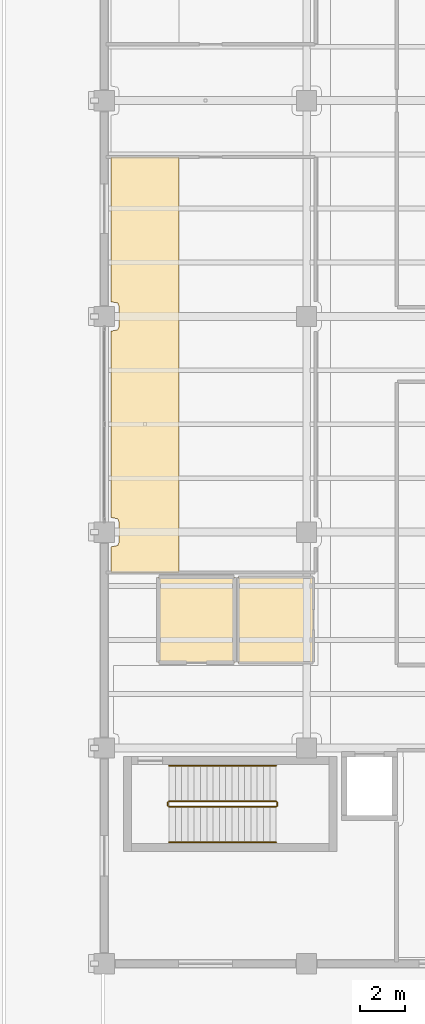
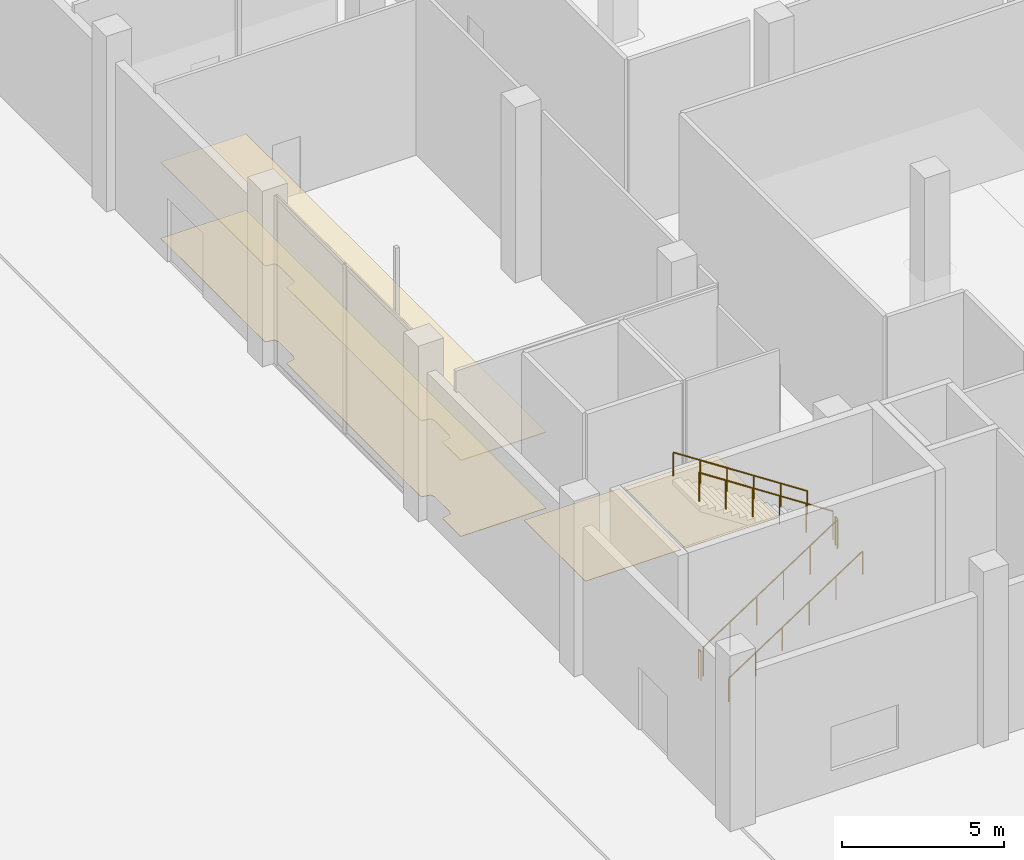
# One storey, part 43 of 45: 6 railings, 4 coverings.
"""IFC4 building model written with IfcOpenShell, lengths in metres."""

from ifc_helpers import new_model, si_unit, direction, frame, origin, origin_2d, place, context, subcontext, project, spatial, polyline, circle, outline, extrude, material, layer, layer_set, type_object, element, save


model = new_model("IFC4")

# Units and contexts
model_context = context("Model", 3, precision=1e-05, world=origin(), true_north=direction((0.0, 1.0)))
body_context = subcontext(model_context, "Body", "Model", "MODEL_VIEW")
ifc_project = project(units=[si_unit("LENGTHUNIT", "METRE"), si_unit("AREAUNIT", "SQUARE_METRE"), si_unit("VOLUMEUNIT", "CUBIC_METRE"), si_unit("PLANEANGLEUNIT", "RADIAN"), si_unit("MASSUNIT", "GRAM", prefix="KILO")], contexts=[model_context])

# Site, building, storey
site_placement = place(None, origin())
site = spatial("IfcSite", under=ifc_project, at=site_placement, CompositionType="ELEMENT")
building_placement = place(site_placement, origin())
building = spatial("IfcBuilding", under=site, at=building_placement, Name="Qorvath Tower", CompositionType="ELEMENT")
storey_placement = place(building_placement, origin())
storey = spatial("IfcBuildingStorey", under=building, at=storey_placement, Name="L00", CompositionType="ELEMENT", Elevation=0.0)

# Coverings
ifc_material_1 = material(Name="Acoustic mineral fibre ceiling tile", Category="gypsum")
ifc_layer_1 = layer(ifc_material_1, 0.030029296875)
ifc_layer_set_1 = layer_set([ifc_layer_1], Name="COV-CEIL")
covering_type_1 = type_object("IfcCoveringType", Name="COV-CEIL", PredefinedType="CEILING", material=ifc_layer_set_1)
covering_1_placement = place(storey_placement, frame((0.0, 0.0, 2.85009765625)))
element("IfcCovering", 1, at=covering_1_placement, inside=storey, type_object=covering_type_1, Name="L00 Suspended Acoustic Ceiling 010", PredefinedType="CEILING", context=body_context, shape_type="SweptSolid", body=[
    extrude(outline(polyline([(33.0546875, -19.65185546875), (32.993408203125, -19.796142578125), (32.68505859375, -19.85498046875), (32.68505859375, -20.9951171875), (35.7216796875, -20.9951171875), (35.7216796875, -2.512939453125), (32.68505859375, -2.512939453125), (32.68505859375, -8.945068359375), (32.993408203125, -9.00390625), (33.0546875, -9.148193359375), (33.054931640625, -10.050048828125), (32.993408203125, -10.196044921875), (32.68505859375, -10.2548828125), (32.68505859375, -18.544921875), (32.993408203125, -18.60400390625), (33.0546875, -18.748046875), (33.0546875, -19.65185546875)])), origin(), (0.0, 0.0, 1.0), 0.030029296875),
])
ifc_material_2 = material(Name="Polished epoxy terrazzo flooring", Category="concrete")
ifc_layer_2 = layer(ifc_material_2, 0.02001953125)
ifc_layer_set_2 = layer_set([ifc_layer_2], Name="COV-FLOOR-TRZ")
covering_type_2 = type_object("IfcCoveringType", Name="COV-FLOOR-TRZ", PredefinedType="FLOORING", material=ifc_layer_set_2)
covering_2_placement = place(storey_placement, origin())
element("IfcCovering", 2, at=covering_2_placement, inside=storey, type_object=covering_type_2, Name="L00 Floor Finish 003", PredefinedType="FLOORING", context=body_context, shape_type="SweptSolid", body=[
    extrude(outline(polyline([(41.695068359375, -21.205078125), (38.35498046875, -21.205078125), (38.35498046875, -24.9951171875), (41.695068359375, -24.9951171875), (41.695068359375, -21.205078125)])), origin(), (0.0, 0.0, 1.0), 0.014892578125),
])
covering_3_placement = place(storey_placement, origin())
element("IfcCovering", 3, at=covering_3_placement, inside=storey, type_object=covering_type_2, Name="L00 Floor Finish 004", PredefinedType="FLOORING", context=body_context, shape_type="SweptSolid", body=[
    extrude(outline(polyline([(38.195068359375, -21.205078125), (34.804931640625, -21.205078125), (34.804931640625, -24.9951171875), (38.195068359375, -24.9951171875), (38.195068359375, -21.205078125)])), origin(), (0.0, 0.0, 1.0), 0.014892578125),
])
covering_4_placement = place(storey_placement, origin())
element("IfcCovering", 4, at=covering_4_placement, inside=storey, type_object=covering_type_2, Name="L00 Floor Finish 010", PredefinedType="FLOORING", context=body_context, shape_type="SweptSolid", body=[
    extrude(outline(polyline([(33.0546875, -19.65185546875), (32.993408203125, -19.796142578125), (32.68505859375, -19.85498046875), (32.68505859375, -20.9951171875), (35.7216796875, -20.9951171875), (35.7216796875, -2.512939453125), (32.68505859375, -2.512939453125), (32.68505859375, -8.945068359375), (32.993408203125, -9.00390625), (33.0546875, -9.148193359375), (33.054931640625, -10.050048828125), (32.993408203125, -10.196044921875), (32.68505859375, -10.2548828125), (32.68505859375, -18.544921875), (32.993408203125, -18.60400390625), (33.0546875, -18.748046875), (33.0546875, -19.65185546875)])), origin(), (0.0, 0.0, 1.0), 0.014892578125),
])

# Railings
ifc_material_3 = material(Name="Painted galvanised steel", Category="steel")
railing_type_1 = type_object("IfcRailingType", Name="RL-STR-GRD", PredefinedType="GUARDRAIL", material=ifc_material_3)
railing_1_placement = place(storey_placement, frame((35.280029296875, -31.419921875, 0.183349609375)))
element("IfcRailing", 5, at=railing_1_placement, inside=storey, type_object=railing_type_1, Name="L00 LS2 stair guard 1", PredefinedType="GUARDRAIL", context=body_context, shape_type="SweptSolid", body=[
    extrude(circle(Radius=0.02392578125, at=origin_2d()), frame((0.0, 0.0, 1.076171875), z_axis=(0.836616421643, 0.0, 0.547789159291), x_axis=(0.0, 1.0, 0.0)), (0.0, 0.0, 1.0), 5.689697265625),
    extrude(circle(Radius=0.02099609375, at=origin_2d()), origin(), (0.0, 0.0, 1.0), 1.052001953125),
    extrude(circle(Radius=0.02099609375, at=origin_2d()), frame((0.951904296875, 0.0, 0.623291015625)), (0.0, 0.0, 1.0), 1.052001953125),
    extrude(circle(Radius=0.02099609375, at=origin_2d()), frame((1.904052734375, 0.0, 1.24658203125)), (0.0, 0.0, 1.0), 1.052001953125),
    extrude(circle(Radius=0.02099609375, at=origin_2d()), frame((2.85595703125, 0.0, 1.8701171875)), (0.0, 0.0, 1.0), 1.052001953125),
    extrude(circle(Radius=0.02099609375, at=origin_2d()), frame((3.80810546875, 0.0, 2.493408203125)), (0.0, 0.0, 1.0), 1.052001953125),
    extrude(circle(Radius=0.02099609375, at=origin_2d()), frame((4.760009765625, 0.0, 3.11669921875)), (0.0, 0.0, 1.0), 1.052001953125),
])
railing_2_placement = place(storey_placement, frame((40.090087890625, -31.3701171875, 3.300048828125)))
element("IfcRailing", 6, at=railing_2_placement, inside=storey, type_object=railing_type_1, Name="L00 LS2 stair guard 2", PredefinedType="GUARDRAIL", context=body_context, shape_type="SweptSolid", body=[
    extrude(circle(Radius=0.02392578125, at=origin_2d()), frame((0.0, 0.0, 1.076171875), z_axis=(0.0, 1.0, 0.0), x_axis=(-1.0, 0.0, 0.0)), (0.0, 0.0, 1.0), 0.150146484375),
    extrude(circle(Radius=0.02099609375, at=origin_2d()), origin(), (0.0, 0.0, 1.0), 1.052001953125),
    extrude(circle(Radius=0.02099609375, at=origin_2d()), frame((0.0, 0.150146484375, 0.0)), (0.0, 0.0, 1.0), 1.052001953125),
])
railing_3_placement = place(storey_placement, frame((40.0400390625, -31.169921875, 3.4833984375)))
element("IfcRailing", 7, at=railing_3_placement, inside=storey, type_object=railing_type_1, Name="L00 LS2 stair guard 3", PredefinedType="GUARDRAIL", context=body_context, shape_type="SweptSolid", body=[
    extrude(circle(Radius=0.02392578125, at=origin_2d()), frame((0.0, 0.0, 1.076171875), z_axis=(-0.836616421643, 0.0, 0.547789159291), x_axis=(0.0, -1.0, 0.0)), (0.0, 0.0, 1.0), 5.689697265625),
    extrude(circle(Radius=0.02099609375, at=origin_2d()), origin(), (0.0, 0.0, 1.0), 1.052001953125),
    extrude(circle(Radius=0.02099609375, at=origin_2d()), frame((-0.951904296875, 0.0, 0.623291015625)), (0.0, 0.0, 1.0), 1.052001953125),
    extrude(circle(Radius=0.02099609375, at=origin_2d()), frame((-1.904052734375, 0.0, 1.24658203125)), (0.0, 0.0, 1.0), 1.052001953125),
    extrude(circle(Radius=0.02099609375, at=origin_2d()), frame((-2.85595703125, 0.0, 1.8701171875)), (0.0, 0.0, 1.0), 1.052001953125),
    extrude(circle(Radius=0.02099609375, at=origin_2d()), frame((-3.80810546875, 0.0, 2.493408203125)), (0.0, 0.0, 1.0), 1.052001953125),
    extrude(circle(Radius=0.02099609375, at=origin_2d()), frame((-4.760009765625, 0.0, 3.11669921875)), (0.0, 0.0, 1.0), 1.052001953125),
])
railing_4_placement = place(storey_placement, frame((35.22998046875, -31.3701171875, 0.0)))
element("IfcRailing", 8, at=railing_4_placement, inside=storey, type_object=railing_type_1, Name="L00 LS2 stair guard 4", PredefinedType="GUARDRAIL", context=body_context, shape_type="SweptSolid", body=[
    extrude(circle(Radius=0.02392578125, at=origin_2d()), frame((0.0, 0.0, 1.076171875), z_axis=(0.0, 1.0, 0.0), x_axis=(-1.0, 0.0, 0.0)), (0.0, 0.0, 1.0), 0.150146484375),
    extrude(circle(Radius=0.02099609375, at=origin_2d()), origin(), (0.0, 0.0, 1.0), 1.052001953125),
    extrude(circle(Radius=0.02099609375, at=origin_2d()), frame((0.0, 0.150146484375, 0.0)), (0.0, 0.0, 1.0), 1.052001953125),
])
ifc_material_4 = material(Name="Brushed stainless steel AISI 304", Category="steel")
railing_type_2 = type_object("IfcRailingType", Name="RL-STR-HND", PredefinedType="HANDRAIL", material=ifc_material_4)
railing_5_placement = place(storey_placement, frame((35.280029296875, -33.0, 0.183349609375)))
element("IfcRailing", 9, at=railing_5_placement, inside=storey, type_object=railing_type_2, Name="L00 LS2 stair handrail 1", PredefinedType="HANDRAIL", context=body_context, shape_type="SweptSolid", body=[
    extrude(circle(Radius=0.02392578125, at=origin_2d()), frame((0.0, 0.0, 0.8759765625), z_axis=(0.836616421643, 0.0, 0.547789159291), x_axis=(0.0, 1.0, 0.0)), (0.0, 0.0, 1.0), 5.689697265625),
    extrude(circle(Radius=0.02099609375, at=origin_2d()), origin(), (0.0, 0.0, 1.0), 0.851806640625),
    extrude(circle(Radius=0.02099609375, at=origin_2d()), frame((0.951904296875, 0.0, 0.623291015625)), (0.0, 0.0, 1.0), 0.851806640625),
    extrude(circle(Radius=0.02099609375, at=origin_2d()), frame((1.904052734375, 0.0, 1.24658203125)), (0.0, 0.0, 1.0), 0.851806640625),
    extrude(circle(Radius=0.02099609375, at=origin_2d()), frame((2.85595703125, 0.0, 1.8701171875)), (0.0, 0.0, 1.0), 0.851806640625),
    extrude(circle(Radius=0.02099609375, at=origin_2d()), frame((3.80810546875, 0.0, 2.493408203125)), (0.0, 0.0, 1.0), 0.851806640625),
    extrude(circle(Radius=0.02099609375, at=origin_2d()), frame((4.760009765625, 0.0, 3.11669921875)), (0.0, 0.0, 1.0), 0.851806640625),
])
railing_6_placement = place(storey_placement, frame((40.0400390625, -29.590087890625, 3.4833984375)))
element("IfcRailing", 10, at=railing_6_placement, inside=storey, type_object=railing_type_2, Name="L00 LS2 stair handrail 2", PredefinedType="HANDRAIL", context=body_context, shape_type="SweptSolid", body=[
    extrude(circle(Radius=0.02392578125, at=origin_2d()), frame((0.0, 0.0, 0.8759765625), z_axis=(-0.836616421643, 0.0, 0.547789159291), x_axis=(0.0, -1.0, 0.0)), (0.0, 0.0, 1.0), 5.689697265625),
    extrude(circle(Radius=0.02099609375, at=origin_2d()), origin(), (0.0, 0.0, 1.0), 0.851806640625),
    extrude(circle(Radius=0.02099609375, at=origin_2d()), frame((-0.951904296875, 0.0, 0.623291015625)), (0.0, 0.0, 1.0), 0.851806640625),
    extrude(circle(Radius=0.02099609375, at=origin_2d()), frame((-1.904052734375, 0.0, 1.24658203125)), (0.0, 0.0, 1.0), 0.851806640625),
    extrude(circle(Radius=0.02099609375, at=origin_2d()), frame((-2.85595703125, 0.0, 1.8701171875)), (0.0, 0.0, 1.0), 0.851806640625),
    extrude(circle(Radius=0.02099609375, at=origin_2d()), frame((-3.80810546875, 0.0, 2.493408203125)), (0.0, 0.0, 1.0), 0.851806640625),
    extrude(circle(Radius=0.02099609375, at=origin_2d()), frame((-4.760009765625, 0.0, 3.11669921875)), (0.0, 0.0, 1.0), 0.851806640625),
])

save(model, "model.ifc")
